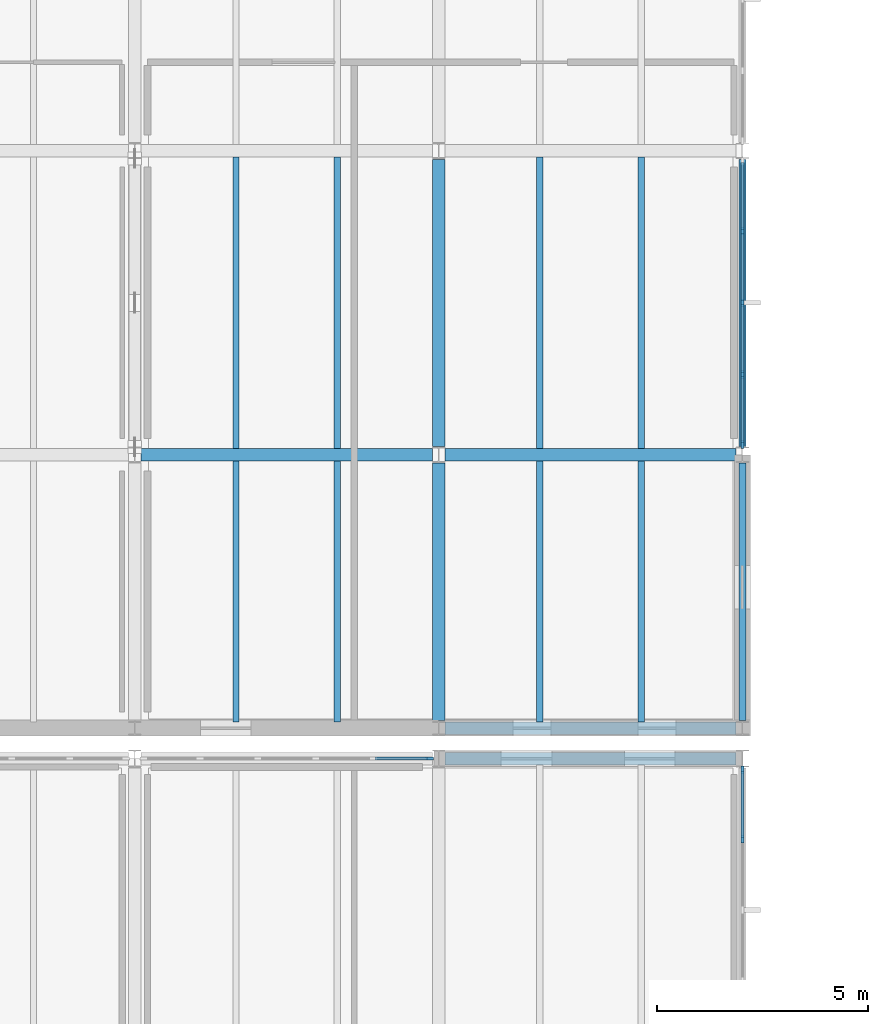
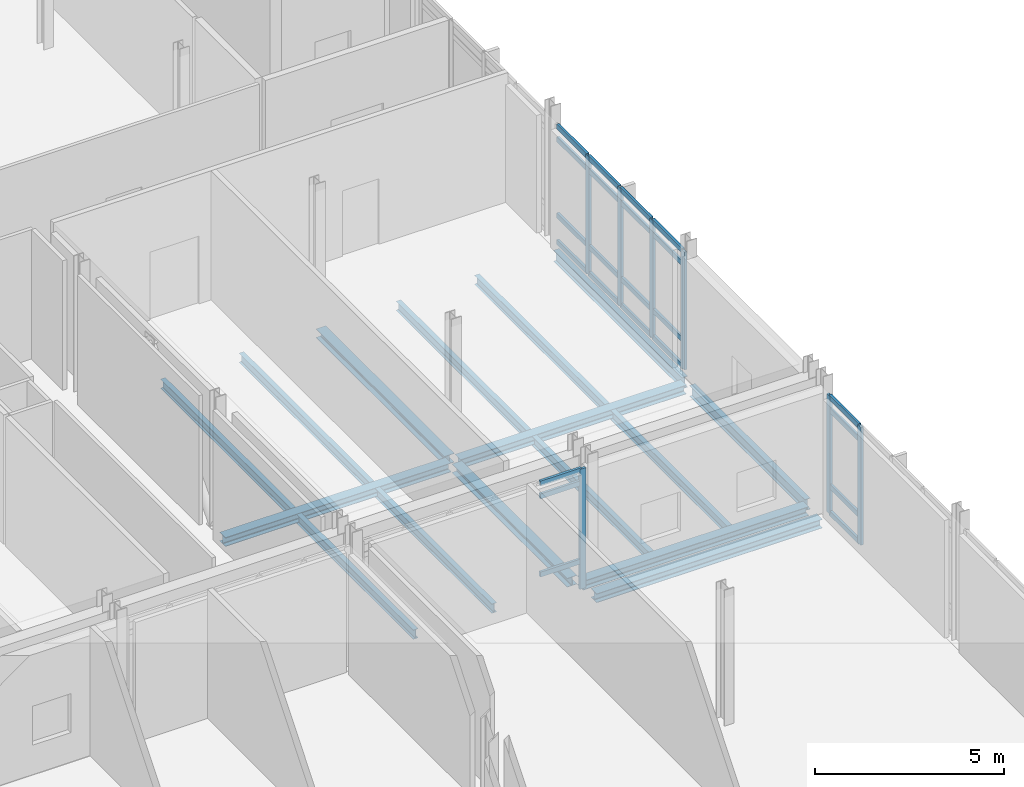
# One storey, part 20 of 76: 30 members, 16 beams, 3 elements without a shape of their own.
"""IFC4 building model written with IfcOpenShell, lengths in metres."""

from ifc_helpers import new_model, si_unit, direction, frame, origin, origin_2d, place, context, subcontext, project, spatial, rectangle, i_section, extrude, material, layer, layer_set, material_profile, profile_set, type_object, element, aggregate, save


model = new_model("IFC4")

# Units and contexts
model_context = context("Model", 3, precision=1e-05, world=origin(), true_north=direction((0.0, 1.0)))
body_context = subcontext(model_context, "Body", "Model", "MODEL_VIEW")
ifc_project = project(units=[si_unit("LENGTHUNIT", "METRE"), si_unit("AREAUNIT", "SQUARE_METRE"), si_unit("VOLUMEUNIT", "CUBIC_METRE"), si_unit("PLANEANGLEUNIT", "RADIAN"), si_unit("MASSUNIT", "GRAM", prefix="KILO")], contexts=[model_context])

# Site, building, storey
site_placement = place(None, origin())
site = spatial("IfcSite", under=ifc_project, at=site_placement, CompositionType="ELEMENT")
building_placement = place(site_placement, origin())
building = spatial("IfcBuilding", under=site, at=building_placement, Name="Zarrinpeak Specialist Clinic", CompositionType="ELEMENT")
storey_placement = place(building_placement, frame((0.0, 0.0, 5.199951171875)))
storey = spatial("IfcBuildingStorey", under=building, at=storey_placement, Name="L01", CompositionType="ELEMENT", Elevation=5.199951171875)

# Beams
ifc_material_1 = material(Name="Steel S355", Category="steel")
ifc_material_profile_1 = material_profile(ifc_material_1, i_section(OverallWidth=0.300048828125, OverallDepth=0.2900390625, WebThickness=0.008544921875, FlangeThickness=0.013916015625, FilletRadius=0.027099609375, at=origin_2d()), Name="HEA 300")
ifc_profile_set_1 = profile_set([ifc_material_profile_1], Name="Steel S355")
beam_type_1 = type_object("IfcBeamType", Name="BM-HEA300", PredefinedType="BEAM", material=ifc_profile_set_1)
for number, where, z_axis, x_axis, name in (
    (1, (21.748046875, 50.39990234375, -0.375), (1.0, 0.0, 0.0), (0.0, 1.0, 0.0), "L01 Primary Floor Girder BM-L01-X0779"),
    (2, (21.748046875, 51.1201171875, -0.405029296875), (1.0, 0.0, 0.0), (0.0, 1.0, 0.0), "L01 Primary Floor Girder BM-L01-X0784"),
):
    element("IfcBeam", number, at=place(storey_placement, frame(where, z_axis=z_axis, x_axis=x_axis)), inside=storey, type_object=beam_type_1, Name=name, PredefinedType="BEAM", context=body_context, shape_type="SweptSolid", body=[
        extrude(i_section(OverallWidth=0.300048828125, OverallDepth=0.2900390625, WebThickness=0.008544921875, FlangeThickness=0.013916015625, FilletRadius=0.027099609375, at=origin_2d()), origin(), (0.0, 0.0, 1.0), 6.904052734375),
    ])
beam_1_placement = place(storey_placement, frame((14.548095703125, 57.60009765625, -0.405029296875), z_axis=(1.0, 0.0, 0.0), x_axis=(0.0, 1.0, 0.0)))
element("IfcBeam", 3, at=beam_1_placement, inside=storey, type_object=beam_type_1, Name="L01 Primary Floor Girder BM-L01-X0787", PredefinedType="BEAM", context=body_context, shape_type="SweptSolid", body=[
    extrude(i_section(OverallWidth=0.300048828125, OverallDepth=0.2900390625, WebThickness=0.008544921875, FlangeThickness=0.013916015625, FilletRadius=0.027099609375, at=origin_2d()), origin(), (0.0, 0.0, 1.0), 6.90380859375),
])
beam_2_placement = place(storey_placement, frame((21.748046875, 57.60009765625, -0.405029296875), z_axis=(1.0, 0.0, 0.0), x_axis=(0.0, 1.0, 0.0)))
element("IfcBeam", 4, at=beam_2_placement, inside=storey, type_object=beam_type_1, Name="L01 Primary Floor Girder BM-L01-X0788", PredefinedType="BEAM", context=body_context, shape_type="SweptSolid", body=[
    extrude(i_section(OverallWidth=0.300048828125, OverallDepth=0.2900390625, WebThickness=0.008544921875, FlangeThickness=0.013916015625, FilletRadius=0.027099609375, at=origin_2d()), origin(), (0.0, 0.0, 1.0), 6.904052734375),
])
beam_3_placement = place(storey_placement, frame((21.60009765625, 51.298095703125, -0.405029296875), z_axis=(0.0, 1.0, 0.0), x_axis=(-1.0, 0.0, 0.0)))
element("IfcBeam", 5, at=beam_3_placement, inside=storey, type_object=beam_type_1, Name="L01 Primary Beam BM-L01-Y0869", PredefinedType="BEAM", context=body_context, shape_type="SweptSolid", body=[
    extrude(i_section(OverallWidth=0.300048828125, OverallDepth=0.2900390625, WebThickness=0.008544921875, FlangeThickness=0.013916015625, FilletRadius=0.027099609375, at=origin_2d()), origin(), (0.0, 0.0, 1.0), 6.10400390625),
])
beam_4_placement = place(storey_placement, frame((21.60009765625, 57.798095703125, -0.405029296875), z_axis=(0.0, 1.0, 0.0), x_axis=(-1.0, 0.0, 0.0)))
element("IfcBeam", 6, at=beam_4_placement, inside=storey, type_object=beam_type_1, Name="L01 Primary Beam BM-L01-Y0870", PredefinedType="BEAM", context=body_context, shape_type="SweptSolid", body=[
    extrude(i_section(OverallWidth=0.300048828125, OverallDepth=0.2900390625, WebThickness=0.008544921875, FlangeThickness=0.013916015625, FilletRadius=0.027099609375, at=origin_2d()), origin(), (0.0, 0.0, 1.0), 6.803955078125),
])
ifc_material_profile_2 = material_profile(ifc_material_1, i_section(OverallWidth=0.14990234375, OverallDepth=0.300048828125, WebThickness=0.007080078125, FlangeThickness=0.0107421875, FilletRadius=0.014892578125, at=origin_2d()), Name="IPE 300")
ifc_profile_set_2 = profile_set([ifc_material_profile_2], Name="Steel S355")
beam_type_2 = type_object("IfcBeamType", Name="BM-JST300", PredefinedType="JOIST", material=ifc_profile_set_2)
for number, where, z_axis, x_axis, name in (
    (7, (16.800048828125, 51.26806640625, -0.409912109375), (0.0, 1.0, 0.0), (-1.0, 0.0, 0.0), "L01 Composite Floor Joist JST-L01-1060"),
    (8, (19.199951171875, 51.26806640625, -0.409912109375), (0.0, 1.0, 0.0), (-1.0, 0.0, 0.0), "L01 Composite Floor Joist JST-L01-1061"),
):
    element("IfcBeam", number, at=place(storey_placement, frame(where, z_axis=z_axis, x_axis=x_axis)), inside=storey, type_object=beam_type_2, Name=name, PredefinedType="JOIST", context=body_context, shape_type="SweptSolid", body=[
        extrude(i_section(OverallWidth=0.14990234375, OverallDepth=0.300048828125, WebThickness=0.007080078125, FlangeThickness=0.0107421875, FilletRadius=0.014892578125, at=origin_2d()), origin(), (0.0, 0.0, 1.0), 6.183837890625),
    ])
for number, where, z_axis, x_axis, name in (
    (9, (16.800048828125, 57.748046875, -0.409912109375), (0.0, 1.0, 0.0), (-1.0, 0.0, 0.0), "L01 Composite Floor Joist JST-L01-1062"),
    (10, (19.199951171875, 57.748046875, -0.409912109375), (0.0, 1.0, 0.0), (-1.0, 0.0, 0.0), "L01 Composite Floor Joist JST-L01-1063"),
):
    element("IfcBeam", number, at=place(storey_placement, frame(where, z_axis=z_axis, x_axis=x_axis)), inside=storey, type_object=beam_type_2, Name=name, PredefinedType="JOIST", context=body_context, shape_type="SweptSolid", body=[
        extrude(i_section(OverallWidth=0.14990234375, OverallDepth=0.300048828125, WebThickness=0.007080078125, FlangeThickness=0.0107421875, FilletRadius=0.014892578125, at=origin_2d()), origin(), (0.0, 0.0, 1.0), 6.904052734375),
    ])
for number, where, z_axis, x_axis, name in (
    (11, (24.0, 51.26806640625, -0.409912109375), (0.0, 1.0, 0.0), (-1.0, 0.0, 0.0), "L01 Composite Floor Joist JST-L01-1070"),
    (12, (26.39990234375, 51.26806640625, -0.409912109375), (0.0, 1.0, 0.0), (-1.0, 0.0, 0.0), "L01 Composite Floor Joist JST-L01-1071"),
):
    element("IfcBeam", number, at=place(storey_placement, frame(where, z_axis=z_axis, x_axis=x_axis)), inside=storey, type_object=beam_type_2, Name=name, PredefinedType="JOIST", context=body_context, shape_type="SweptSolid", body=[
        extrude(i_section(OverallWidth=0.14990234375, OverallDepth=0.300048828125, WebThickness=0.007080078125, FlangeThickness=0.0107421875, FilletRadius=0.014892578125, at=origin_2d()), origin(), (0.0, 0.0, 1.0), 6.183837890625),
    ])
for number, where, z_axis, x_axis, name in (
    (13, (24.0, 57.748046875, -0.409912109375), (0.0, 1.0, 0.0), (-1.0, 0.0, 0.0), "L01 Composite Floor Joist JST-L01-1072"),
    (14, (26.39990234375, 57.748046875, -0.409912109375), (0.0, 1.0, 0.0), (-1.0, 0.0, 0.0), "L01 Composite Floor Joist JST-L01-1073"),
):
    element("IfcBeam", number, at=place(storey_placement, frame(where, z_axis=z_axis, x_axis=x_axis)), inside=storey, type_object=beam_type_2, Name=name, PredefinedType="JOIST", context=body_context, shape_type="SweptSolid", body=[
        extrude(i_section(OverallWidth=0.14990234375, OverallDepth=0.300048828125, WebThickness=0.007080078125, FlangeThickness=0.0107421875, FilletRadius=0.014892578125, at=origin_2d()), origin(), (0.0, 0.0, 1.0), 6.904052734375),
    ])
ifc_material_profile_3 = material_profile(ifc_material_1, i_section(OverallWidth=0.169921875, OverallDepth=0.360107421875, WebThickness=0.008056640625, FlangeThickness=0.0126953125, FilletRadius=0.01806640625, at=origin_2d()), Name="IPE 360")
ifc_profile_set_3 = profile_set([ifc_material_profile_3], Name="Steel S355")
beam_type_3 = type_object("IfcBeamType", Name="BM-SP360", PredefinedType="SPANDREL", material=ifc_profile_set_3)
beam_5_placement = place(storey_placement, frame((28.800048828125, 51.298095703125, -0.43994140625), z_axis=(0.0, 1.0, 0.0), x_axis=(-1.0, 0.0, 0.0)))
element("IfcBeam", 15, at=beam_5_placement, inside=storey, type_object=beam_type_3, Name="L01 Perimeter Spandrel Beam BM-L01-Y0878", PredefinedType="SPANDREL", context=body_context, shape_type="SweptSolid", body=[
    extrude(i_section(OverallWidth=0.169921875, OverallDepth=0.360107421875, WebThickness=0.008056640625, FlangeThickness=0.0126953125, FilletRadius=0.01806640625, at=origin_2d()), origin(), (0.0, 0.0, 1.0), 6.10400390625),
])
beam_6_placement = place(storey_placement, frame((28.800048828125, 57.798095703125, -0.43994140625), z_axis=(0.0, 1.0, 0.0), x_axis=(-1.0, 0.0, 0.0)))
element("IfcBeam", 16, at=beam_6_placement, inside=storey, type_object=beam_type_3, Name="L01 Perimeter Spandrel Beam BM-L01-Y0879", PredefinedType="SPANDREL", context=body_context, shape_type="SweptSolid", body=[
    extrude(i_section(OverallWidth=0.169921875, OverallDepth=0.360107421875, WebThickness=0.008056640625, FlangeThickness=0.0126953125, FilletRadius=0.01806640625, at=origin_2d()), origin(), (0.0, 0.0, 1.0), 6.803955078125),
])

# Curtain wall, member
ifc_material_2 = material(Name="Anodised Aluminium Alloy 6063-T6", Category="aluminium")
ifc_layer_1 = layer(ifc_material_2, 0.1650390625)
ifc_layer_set_1 = layer_set([ifc_layer_1], Name="Anodised Aluminium Alloy 6063-T6")
curtain_wall_type_1 = type_object("IfcCurtainWallType", Name="CW-CLINIC", PredefinedType="NOTDEFINED", material=ifc_layer_set_1)
curtain_wall_1_placement = place(storey_placement, origin())
curtain_wall_1 = element("IfcCurtainWall", 17, at=curtain_wall_1_placement, inside=storey, type_object=curtain_wall_type_1, Name="L01 V1 Unitised Curtain Wall CW-L01-V1-008", PredefinedType="NOTDEFINED")
ifc_material_profile_4 = material_profile(ifc_material_2, rectangle(XDim=0.074951171875, YDim=0.179931640625, at=origin_2d()), Name="ALU 75x180")
ifc_profile_set_4 = profile_set([ifc_material_profile_4], Name="Anodised Aluminium Alloy 6063-T6")
member_type_1 = type_object("IfcMemberType", Name="CWM-75", PredefinedType="MULLION", material=ifc_profile_set_4)
member_1_placement = place(storey_placement, frame((21.387451171875, 50.39990234375, 0.0), z_axis=(0.0, 0.0, 1.0), x_axis=(0.0, -1.0, 0.0)))
member_1 = element("IfcMember", 18, at=member_1_placement, type_object=member_type_1, Name="CW-03 mullion 1", PredefinedType="MULLION", context=body_context, shape_type="SweptSolid", body=[
    extrude(rectangle(XDim=0.074951171875, YDim=0.179931640625, at=origin_2d()), origin(), (0.0, 0.0, 1.0), 3.880126953125),
])

# Curtain wall, members
ifc_layer_2 = layer(ifc_material_2, 0.179931640625)
ifc_layer_set_2 = layer_set([ifc_layer_2], Name="Anodised Aluminium Alloy 6063-T6")
curtain_wall_type_2 = type_object("IfcCurtainWallType", Name="CW-COURT", PredefinedType="NOTDEFINED", material=ifc_layer_set_2)
curtain_wall_2_placement = place(storey_placement, origin())
curtain_wall_2 = element("IfcCurtainWall", 19, at=curtain_wall_2_placement, inside=storey, type_object=curtain_wall_type_2, Name="L01 V1 Unitised Curtain Wall CW-L01-V1-012", PredefinedType="NOTDEFINED")
member_2_placement = place(storey_placement, frame((28.800048828125, 48.49365234375, 0.0), z_axis=(0.0, 0.0, 1.0), x_axis=(-1.0, 0.0, 0.0)))
member_2 = element("IfcMember", 20, at=member_2_placement, type_object=member_type_1, Name="CW-01 mullion 4", PredefinedType="MULLION", context=body_context, shape_type="SweptSolid", body=[
    extrude(rectangle(XDim=0.074951171875, YDim=0.179931640625, at=origin_2d()), origin(), (0.0, 0.0, 1.0), 3.81005859375),
])
member_3_placement = place(storey_placement, frame((28.800048828125, 50.137451171875, 0.0), z_axis=(0.0, 0.0, 1.0), x_axis=(-1.0, 0.0, 0.0)))
member_3 = element("IfcMember", 21, at=member_3_placement, type_object=member_type_1, Name="CW-01 mullion 5", PredefinedType="MULLION", context=body_context, shape_type="SweptSolid", body=[
    extrude(rectangle(XDim=0.074951171875, YDim=0.179931640625, at=origin_2d()), origin(), (0.0, 0.0, 1.0), 3.81005859375),
])

curtain_wall_3_placement = place(storey_placement, origin())
curtain_wall_3 = element("IfcCurtainWall", 22, at=curtain_wall_3_placement, inside=storey, type_object=curtain_wall_type_2, Name="L01 V5 Unitised Curtain Wall CW-L01-V5-123", PredefinedType="NOTDEFINED")
member_4_placement = place(storey_placement, frame((28.800048828125, 57.842529296875, 0.0), z_axis=(0.0, 0.0, 1.0), x_axis=(-1.0, 0.0, 0.0)))
member_4 = element("IfcMember", 23, at=member_4_placement, type_object=member_type_1, Name="CW-01 mullion 1", PredefinedType="MULLION", context=body_context, shape_type="SweptSolid", body=[
    extrude(rectangle(XDim=0.074951171875, YDim=0.179931640625, at=origin_2d()), origin(), (0.0, 0.0, 1.0), 3.81005859375),
])
member_5_placement = place(storey_placement, frame((28.800048828125, 59.50244140625, 0.0), z_axis=(0.0, 0.0, 1.0), x_axis=(-1.0, 0.0, 0.0)))
member_5 = element("IfcMember", 24, at=member_5_placement, type_object=member_type_1, Name="CW-01 mullion 2", PredefinedType="MULLION", context=body_context, shape_type="SweptSolid", body=[
    extrude(rectangle(XDim=0.074951171875, YDim=0.179931640625, at=origin_2d()), origin(), (0.0, 0.0, 1.0), 3.81005859375),
])
member_6_placement = place(storey_placement, frame((28.800048828125, 61.199951171875, 0.0), z_axis=(0.0, 0.0, 1.0), x_axis=(-1.0, 0.0, 0.0)))
member_6 = element("IfcMember", 25, at=member_6_placement, type_object=member_type_1, Name="CW-01 mullion 3", PredefinedType="MULLION", context=body_context, shape_type="SweptSolid", body=[
    extrude(rectangle(XDim=0.074951171875, YDim=0.179931640625, at=origin_2d()), origin(), (0.0, 0.0, 1.0), 3.81005859375),
])
member_7_placement = place(storey_placement, frame((28.800048828125, 62.8974609375, 0.0), z_axis=(0.0, 0.0, 1.0), x_axis=(-1.0, 0.0, 0.0)))
member_7 = element("IfcMember", 26, at=member_7_placement, type_object=member_type_1, Name="CW-01 mullion 4", PredefinedType="MULLION", context=body_context, shape_type="SweptSolid", body=[
    extrude(rectangle(XDim=0.074951171875, YDim=0.179931640625, at=origin_2d()), origin(), (0.0, 0.0, 1.0), 3.81005859375),
])

# Member
ifc_material_profile_5 = material_profile(ifc_material_2, rectangle(XDim=0.074951171875, YDim=0.159912109375, at=origin_2d()), Name="ALU 75x160")
ifc_profile_set_5 = profile_set([ifc_material_profile_5], Name="Anodised Aluminium Alloy 6063-T6")
member_type_2 = type_object("IfcMemberType", Name="CWT-75", PredefinedType="USERDEFINED", material=ifc_profile_set_5)
member_8_placement = place(storey_placement, frame((21.35009765625, 50.39990234375, 0.900146484375), z_axis=(-1.0, 0.0, 0.0), x_axis=(0.0, -1.0, 0.0)))
member_8 = element("IfcMember", 27, at=member_8_placement, type_object=member_type_2, Name="CW-03 transom 1.2", ObjectType="TRANSOM", PredefinedType="USERDEFINED", context=body_context, shape_type="SweptSolid", body=[
    extrude(rectangle(XDim=0.074951171875, YDim=0.159912109375, at=origin_2d()), origin(), (0.0, 0.0, 1.0), 1.257568359375),
])

member_9_placement = place(storey_placement, frame((21.35009765625, 50.39990234375, 3.429931640625), z_axis=(-1.0, 0.0, 0.0), x_axis=(0.0, -1.0, 0.0)))
member_9 = element("IfcMember", 28, at=member_9_placement, type_object=member_type_2, Name="CW-03 transom 1.3", ObjectType="TRANSOM", PredefinedType="USERDEFINED", context=body_context, shape_type="SweptSolid", body=[
    extrude(rectangle(XDim=0.074951171875, YDim=0.159912109375, at=origin_2d()), origin(), (0.0, 0.0, 1.0), 1.257568359375),
])

member_10_placement = place(storey_placement, frame((21.35009765625, 50.39990234375, 3.842529296875), z_axis=(-1.0, 0.0, 0.0), x_axis=(0.0, -1.0, 0.0)))
member_10 = element("IfcMember", 29, at=member_10_placement, type_object=member_type_2, Name="CW-03 transom 1.4", ObjectType="TRANSOM", PredefinedType="USERDEFINED", context=body_context, shape_type="SweptSolid", body=[
    extrude(rectangle(XDim=0.074951171875, YDim=0.159912109375, at=origin_2d()), origin(), (0.0, 0.0, 1.0), 1.257568359375),
])

aggregate(curtain_wall_1, [member_1, member_8, member_9, member_10])

member_11_placement = place(storey_placement, frame((28.800048828125, 48.53125, 0.03759765625), z_axis=(0.0, 1.0, 0.0), x_axis=(-1.0, 0.0, 0.0)))
member_11 = element("IfcMember", 30, at=member_11_placement, type_object=member_type_2, Name="CW-01 transom 4.1", ObjectType="TRANSOM", PredefinedType="USERDEFINED", context=body_context, shape_type="SweptSolid", body=[
    extrude(rectangle(XDim=0.074951171875, YDim=0.159912109375, at=origin_2d()), origin(), (0.0, 0.0, 1.0), 1.56884765625),
])

member_12_placement = place(storey_placement, frame((28.800048828125, 48.53125, 0.900146484375), z_axis=(0.0, 1.0, 0.0), x_axis=(-1.0, 0.0, 0.0)))
member_12 = element("IfcMember", 31, at=member_12_placement, type_object=member_type_2, Name="CW-01 transom 4.2", ObjectType="TRANSOM", PredefinedType="USERDEFINED", context=body_context, shape_type="SweptSolid", body=[
    extrude(rectangle(XDim=0.074951171875, YDim=0.159912109375, at=origin_2d()), origin(), (0.0, 0.0, 1.0), 1.56884765625),
])

member_13_placement = place(storey_placement, frame((28.800048828125, 48.53125, 3.360107421875), z_axis=(0.0, 1.0, 0.0), x_axis=(-1.0, 0.0, 0.0)))
member_13 = element("IfcMember", 32, at=member_13_placement, type_object=member_type_2, Name="CW-01 transom 4.3", ObjectType="TRANSOM", PredefinedType="USERDEFINED", context=body_context, shape_type="SweptSolid", body=[
    extrude(rectangle(XDim=0.074951171875, YDim=0.159912109375, at=origin_2d()), origin(), (0.0, 0.0, 1.0), 1.56884765625),
])

member_14_placement = place(storey_placement, frame((28.800048828125, 48.53125, 3.7724609375), z_axis=(0.0, 1.0, 0.0), x_axis=(-1.0, 0.0, 0.0)))
member_14 = element("IfcMember", 33, at=member_14_placement, type_object=member_type_2, Name="CW-01 transom 4.4", ObjectType="TRANSOM", PredefinedType="USERDEFINED", context=body_context, shape_type="SweptSolid", body=[
    extrude(rectangle(XDim=0.074951171875, YDim=0.159912109375, at=origin_2d()), origin(), (0.0, 0.0, 1.0), 1.56884765625),
])

aggregate(curtain_wall_2, [member_2, member_3, member_11, member_12, member_13, member_14])

member_15_placement = place(storey_placement, frame((28.800048828125, 57.8798828125, 0.03759765625), z_axis=(0.0, 1.0, 0.0), x_axis=(-1.0, 0.0, 0.0)))
member_15 = element("IfcMember", 34, at=member_15_placement, type_object=member_type_2, Name="CW-01 transom 1.1", ObjectType="TRANSOM", PredefinedType="USERDEFINED", context=body_context, shape_type="SweptSolid", body=[
    extrude(rectangle(XDim=0.074951171875, YDim=0.159912109375, at=origin_2d()), origin(), (0.0, 0.0, 1.0), 1.585205078125),
])

member_16_placement = place(storey_placement, frame((28.800048828125, 57.8798828125, 0.900146484375), z_axis=(0.0, 1.0, 0.0), x_axis=(-1.0, 0.0, 0.0)))
member_16 = element("IfcMember", 35, at=member_16_placement, type_object=member_type_2, Name="CW-01 transom 1.2", ObjectType="TRANSOM", PredefinedType="USERDEFINED", context=body_context, shape_type="SweptSolid", body=[
    extrude(rectangle(XDim=0.074951171875, YDim=0.159912109375, at=origin_2d()), origin(), (0.0, 0.0, 1.0), 1.585205078125),
])

member_17_placement = place(storey_placement, frame((28.800048828125, 57.8798828125, 3.360107421875), z_axis=(0.0, 1.0, 0.0), x_axis=(-1.0, 0.0, 0.0)))
member_17 = element("IfcMember", 36, at=member_17_placement, type_object=member_type_2, Name="CW-01 transom 1.3", ObjectType="TRANSOM", PredefinedType="USERDEFINED", context=body_context, shape_type="SweptSolid", body=[
    extrude(rectangle(XDim=0.074951171875, YDim=0.159912109375, at=origin_2d()), origin(), (0.0, 0.0, 1.0), 1.585205078125),
])

member_18_placement = place(storey_placement, frame((28.800048828125, 57.8798828125, 3.7724609375), z_axis=(0.0, 1.0, 0.0), x_axis=(-1.0, 0.0, 0.0)))
member_18 = element("IfcMember", 37, at=member_18_placement, type_object=member_type_2, Name="CW-01 transom 1.4", ObjectType="TRANSOM", PredefinedType="USERDEFINED", context=body_context, shape_type="SweptSolid", body=[
    extrude(rectangle(XDim=0.074951171875, YDim=0.159912109375, at=origin_2d()), origin(), (0.0, 0.0, 1.0), 1.585205078125),
])

member_19_placement = place(storey_placement, frame((28.800048828125, 59.5400390625, 0.03759765625), z_axis=(0.0, 1.0, 0.0), x_axis=(-1.0, 0.0, 0.0)))
member_19 = element("IfcMember", 38, at=member_19_placement, type_object=member_type_2, Name="CW-01 transom 2.1", ObjectType="TRANSOM", PredefinedType="USERDEFINED", context=body_context, shape_type="SweptSolid", body=[
    extrude(rectangle(XDim=0.074951171875, YDim=0.159912109375, at=origin_2d()), origin(), (0.0, 0.0, 1.0), 1.62255859375),
])

member_20_placement = place(storey_placement, frame((28.800048828125, 59.5400390625, 0.900146484375), z_axis=(0.0, 1.0, 0.0), x_axis=(-1.0, 0.0, 0.0)))
member_20 = element("IfcMember", 39, at=member_20_placement, type_object=member_type_2, Name="CW-01 transom 2.2", ObjectType="TRANSOM", PredefinedType="USERDEFINED", context=body_context, shape_type="SweptSolid", body=[
    extrude(rectangle(XDim=0.074951171875, YDim=0.159912109375, at=origin_2d()), origin(), (0.0, 0.0, 1.0), 1.62255859375),
])

member_21_placement = place(storey_placement, frame((28.800048828125, 59.5400390625, 3.360107421875), z_axis=(0.0, 1.0, 0.0), x_axis=(-1.0, 0.0, 0.0)))
member_21 = element("IfcMember", 40, at=member_21_placement, type_object=member_type_2, Name="CW-01 transom 2.3", ObjectType="TRANSOM", PredefinedType="USERDEFINED", context=body_context, shape_type="SweptSolid", body=[
    extrude(rectangle(XDim=0.074951171875, YDim=0.159912109375, at=origin_2d()), origin(), (0.0, 0.0, 1.0), 1.62255859375),
])

member_22_placement = place(storey_placement, frame((28.800048828125, 59.5400390625, 3.7724609375), z_axis=(0.0, 1.0, 0.0), x_axis=(-1.0, 0.0, 0.0)))
member_22 = element("IfcMember", 41, at=member_22_placement, type_object=member_type_2, Name="CW-01 transom 2.4", ObjectType="TRANSOM", PredefinedType="USERDEFINED", context=body_context, shape_type="SweptSolid", body=[
    extrude(rectangle(XDim=0.074951171875, YDim=0.159912109375, at=origin_2d()), origin(), (0.0, 0.0, 1.0), 1.62255859375),
])

member_23_placement = place(storey_placement, frame((28.800048828125, 61.237548828125, 0.03759765625), z_axis=(0.0, 1.0, 0.0), x_axis=(-1.0, 0.0, 0.0)))
member_23 = element("IfcMember", 42, at=member_23_placement, type_object=member_type_2, Name="CW-01 transom 3.1", ObjectType="TRANSOM", PredefinedType="USERDEFINED", context=body_context, shape_type="SweptSolid", body=[
    extrude(rectangle(XDim=0.074951171875, YDim=0.159912109375, at=origin_2d()), origin(), (0.0, 0.0, 1.0), 1.62255859375),
])

member_24_placement = place(storey_placement, frame((28.800048828125, 61.237548828125, 0.900146484375), z_axis=(0.0, 1.0, 0.0), x_axis=(-1.0, 0.0, 0.0)))
member_24 = element("IfcMember", 43, at=member_24_placement, type_object=member_type_2, Name="CW-01 transom 3.2", ObjectType="TRANSOM", PredefinedType="USERDEFINED", context=body_context, shape_type="SweptSolid", body=[
    extrude(rectangle(XDim=0.074951171875, YDim=0.159912109375, at=origin_2d()), origin(), (0.0, 0.0, 1.0), 1.62255859375),
])

member_25_placement = place(storey_placement, frame((28.800048828125, 61.237548828125, 3.360107421875), z_axis=(0.0, 1.0, 0.0), x_axis=(-1.0, 0.0, 0.0)))
member_25 = element("IfcMember", 44, at=member_25_placement, type_object=member_type_2, Name="CW-01 transom 3.3", ObjectType="TRANSOM", PredefinedType="USERDEFINED", context=body_context, shape_type="SweptSolid", body=[
    extrude(rectangle(XDim=0.074951171875, YDim=0.159912109375, at=origin_2d()), origin(), (0.0, 0.0, 1.0), 1.62255859375),
])

member_26_placement = place(storey_placement, frame((28.800048828125, 61.237548828125, 3.7724609375), z_axis=(0.0, 1.0, 0.0), x_axis=(-1.0, 0.0, 0.0)))
member_26 = element("IfcMember", 45, at=member_26_placement, type_object=member_type_2, Name="CW-01 transom 3.4", ObjectType="TRANSOM", PredefinedType="USERDEFINED", context=body_context, shape_type="SweptSolid", body=[
    extrude(rectangle(XDim=0.074951171875, YDim=0.159912109375, at=origin_2d()), origin(), (0.0, 0.0, 1.0), 1.62255859375),
])

member_27_placement = place(storey_placement, frame((28.800048828125, 62.93505859375, 0.03759765625), z_axis=(0.0, 1.0, 0.0), x_axis=(-1.0, 0.0, 0.0)))
member_27 = element("IfcMember", 46, at=member_27_placement, type_object=member_type_2, Name="CW-01 transom 4.1", ObjectType="TRANSOM", PredefinedType="USERDEFINED", context=body_context, shape_type="SweptSolid", body=[
    extrude(rectangle(XDim=0.074951171875, YDim=0.159912109375, at=origin_2d()), origin(), (0.0, 0.0, 1.0), 1.5849609375),
])

member_28_placement = place(storey_placement, frame((28.800048828125, 62.93505859375, 0.900146484375), z_axis=(0.0, 1.0, 0.0), x_axis=(-1.0, 0.0, 0.0)))
member_28 = element("IfcMember", 47, at=member_28_placement, type_object=member_type_2, Name="CW-01 transom 4.2", ObjectType="TRANSOM", PredefinedType="USERDEFINED", context=body_context, shape_type="SweptSolid", body=[
    extrude(rectangle(XDim=0.074951171875, YDim=0.159912109375, at=origin_2d()), origin(), (0.0, 0.0, 1.0), 1.5849609375),
])

member_29_placement = place(storey_placement, frame((28.800048828125, 62.93505859375, 3.360107421875), z_axis=(0.0, 1.0, 0.0), x_axis=(-1.0, 0.0, 0.0)))
member_29 = element("IfcMember", 48, at=member_29_placement, type_object=member_type_2, Name="CW-01 transom 4.3", ObjectType="TRANSOM", PredefinedType="USERDEFINED", context=body_context, shape_type="SweptSolid", body=[
    extrude(rectangle(XDim=0.074951171875, YDim=0.159912109375, at=origin_2d()), origin(), (0.0, 0.0, 1.0), 1.5849609375),
])

member_30_placement = place(storey_placement, frame((28.800048828125, 62.93505859375, 3.7724609375), z_axis=(0.0, 1.0, 0.0), x_axis=(-1.0, 0.0, 0.0)))
member_30 = element("IfcMember", 49, at=member_30_placement, type_object=member_type_2, Name="CW-01 transom 4.4", ObjectType="TRANSOM", PredefinedType="USERDEFINED", context=body_context, shape_type="SweptSolid", body=[
    extrude(rectangle(XDim=0.074951171875, YDim=0.159912109375, at=origin_2d()), origin(), (0.0, 0.0, 1.0), 1.5849609375),
])

aggregate(curtain_wall_3, [member_4, member_5, member_6, member_7, member_15, member_16, member_17, member_18, member_19, member_20, member_21, member_22, member_23, member_24, member_25, member_26, member_27, member_28, member_29, member_30])

save(model, "model.ifc")
